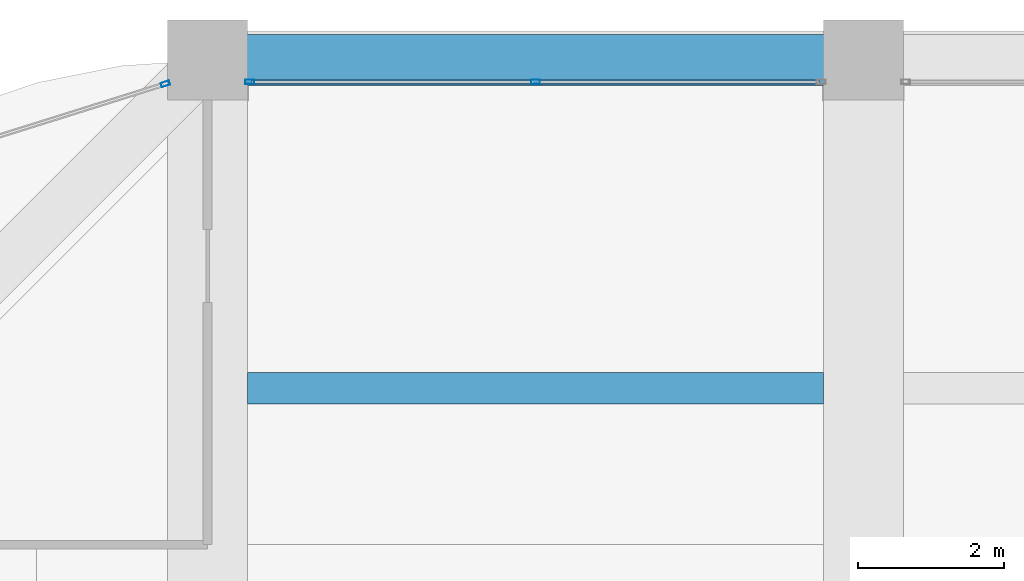
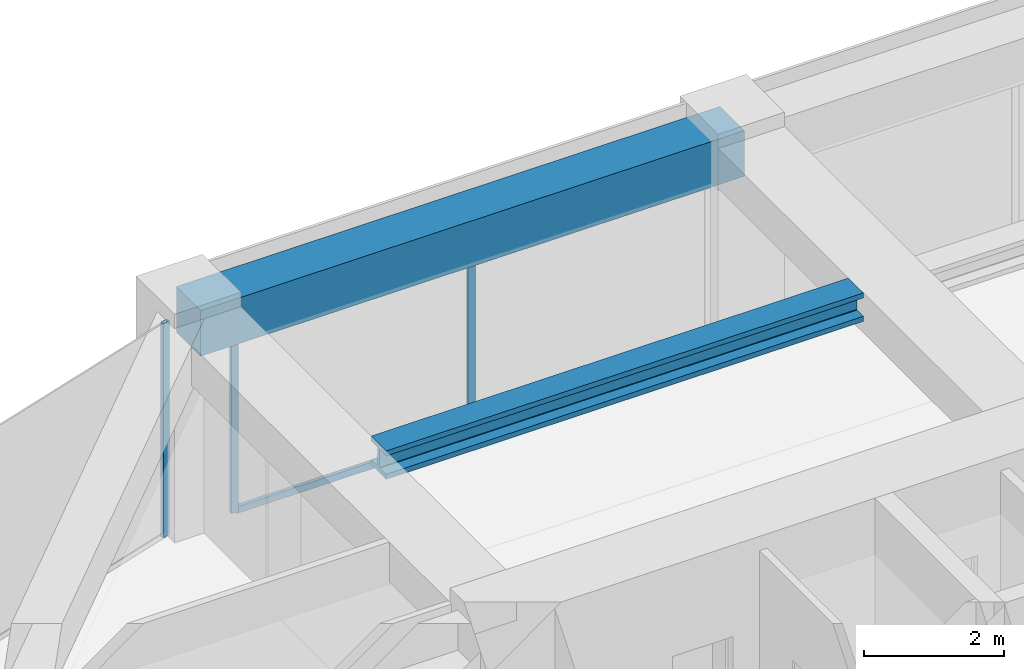
# One storey, part 31 of 45: 4 members, 2 beams, 2 elements without a shape of their own.
"""IFC4 building model written with IfcOpenShell, lengths in metres."""

from ifc_helpers import new_model, si_unit, direction, frame, origin, origin_2d, place, context, subcontext, project, spatial, rectangle, hollow_rectangle, i_section, extrude, material, material_profile, profile_set, type_object, element, aggregate, save


model = new_model("IFC4")

# Units and contexts
model_context = context("Model", 3, precision=1e-05, world=origin(), true_north=direction((0.0, 1.0)))
body_context = subcontext(model_context, "Body", "Model", "MODEL_VIEW")
ifc_project = project(units=[si_unit("LENGTHUNIT", "METRE"), si_unit("AREAUNIT", "SQUARE_METRE"), si_unit("VOLUMEUNIT", "CUBIC_METRE"), si_unit("PLANEANGLEUNIT", "RADIAN"), si_unit("MASSUNIT", "GRAM", prefix="KILO")], contexts=[model_context])

# Site, building, storey
site_placement = place(None, origin())
site = spatial("IfcSite", under=ifc_project, at=site_placement, CompositionType="ELEMENT")
building_placement = place(site_placement, origin())
building = spatial("IfcBuilding", under=site, at=building_placement, Name="Zorevar Civic Tower", CompositionType="ELEMENT")
storey_placement = place(building_placement, frame((0.0, 0.0, 303.39990234375)))
storey = spatial("IfcBuildingStorey", under=building, at=storey_placement, Name="L74", CompositionType="ELEMENT", Elevation=303.39990234375)

# Curtain wall, members
ifc_material_1 = material(Name="Dark grey solar-control glass in black aluminium frame", Category="aluminium")
curtain_wall_type = type_object("IfcCurtainWallType", Name="Curtain wall CW5 top zone", PredefinedType="NOTDEFINED", material=ifc_material_1)
curtain_wall_1_placement = place(storey_placement, origin())
curtain_wall_1 = element("IfcCurtainWall", 1, at=curtain_wall_1_placement, inside=storey, type_object=curtain_wall_type, Name="CW5 L74", PredefinedType="NOTDEFINED")
ifc_material_2 = material(Name="Aluminium, black anodised", Category="aluminium")
ifc_material_profile_1 = material_profile(ifc_material_2, hollow_rectangle(XDim=0.06005859375, YDim=0.1201171875, WallThickness=0.0029296875, at=origin_2d()), Name="AL 120x60x3")
ifc_profile_set_1 = profile_set([ifc_material_profile_1], Name="Aluminium, black anodised")
member_type_1 = type_object("IfcMemberType", Name="CW5 mullion AL 120x60x3", PredefinedType="MULLION", material=ifc_profile_set_1)
member_1_placement = place(storey_placement, frame((18.580078125, 44.699951171875, 0.0), z_axis=(0.0, 0.0, 1.0), x_axis=(0.0, 1.0, 0.0)))
member_1 = element("IfcMember", 2, at=member_1_placement, type_object=member_type_1, Name="CW5 mullion 1", PredefinedType="MULLION", context=body_context, shape_type="SweptSolid", body=[
    extrude(hollow_rectangle(XDim=0.06005859375, YDim=0.1201171875, WallThickness=0.0029296875, at=origin_2d()), origin(), (0.0, 0.0, 1.0), 2.9501953125),
])
member_2_placement = place(storey_placement, frame((22.5, 44.699951171875, 0.06005859375), z_axis=(0.0, 0.0, 1.0), x_axis=(0.0, 1.0, 0.0)))
member_2 = element("IfcMember", 3, at=member_2_placement, type_object=member_type_1, Name="CW5 mullion 2", PredefinedType="MULLION", context=body_context, shape_type="SweptSolid", body=[
    extrude(hollow_rectangle(XDim=0.06005859375, YDim=0.1201171875, WallThickness=0.0029296875, at=origin_2d()), origin(), (0.0, 0.0, 1.0), 2.89013671875),
])

# Curtain wall, member
curtain_wall_2_placement = place(storey_placement, origin())
curtain_wall_2 = element("IfcCurtainWall", 4, at=curtain_wall_2_placement, inside=storey, type_object=curtain_wall_type, Name="CW5 L74", PredefinedType="NOTDEFINED")
member_3_placement = place(storey_placement, frame((17.42138671875, 44.673583984375, 0.0), z_axis=(0.0, 0.0, 1.0), x_axis=(0.299317920238, -0.954153437674, 0.0)))
member_3 = element("IfcMember", 5, at=member_3_placement, type_object=member_type_1, Name="CW5 mullion 1", PredefinedType="MULLION", context=body_context, shape_type="SweptSolid", body=[
    extrude(hollow_rectangle(XDim=0.06005859375, YDim=0.1201171875, WallThickness=0.0029296875, at=origin_2d()), origin(), (0.0, 0.0, 1.0), 3.75),
])
aggregate(curtain_wall_2, [member_3])

# Member
ifc_material_3 = material(Name="Aluminium, black anodised", Category="aluminium")
ifc_material_profile_2 = material_profile(ifc_material_3, hollow_rectangle(XDim=0.06005859375, YDim=0.1201171875, WallThickness=0.0029296875, at=origin_2d()), Name="AL 120x60x3")
ifc_profile_set_2 = profile_set([ifc_material_profile_2], Name="Aluminium, black anodised")
member_type_2 = type_object("IfcMemberType", Name="CW5 transom AL 120x60x3", PredefinedType="USERDEFINED", material=ifc_profile_set_2)
member_4_placement = place(storey_placement, frame((18.610107421875, 44.699951171875, 0.030029296875), z_axis=(1.0, 0.0, 0.0), x_axis=(0.0, 1.0, 0.0)))
member_4 = element("IfcMember", 6, at=member_4_placement, type_object=member_type_2, Name="CW5 sill transom", ObjectType="TRANSOM", PredefinedType="USERDEFINED", context=body_context, shape_type="SweptSolid", body=[
    extrude(hollow_rectangle(XDim=0.06005859375, YDim=0.1201171875, WallThickness=0.0029296875, at=origin_2d()), origin(), (0.0, 0.0, 1.0), 7.77978515625),
])

aggregate(curtain_wall_1, [member_1, member_2, member_4])

# Beams
ifc_material_4 = material(Name="Steel S460M (HISTAR 460)", Category="steel")
ifc_material_profile_3 = material_profile(ifc_material_4, i_section(OverallWidth=0.431884765625, OverallDepth=0.498046875, WebThickness=0.0556640625, FlangeThickness=0.0888671875, FilletRadius=0.014892578125, at=origin_2d()), Name="HD 400x744")
ifc_profile_set_3 = profile_set([ifc_material_profile_3], Name="Steel S460M (HISTAR 460)")
beam_type_1 = type_object("IfcBeamType", Name="Core bay beam HD 400x744", PredefinedType="BEAM", material=ifc_profile_set_3)
beam_1_placement = place(storey_placement, frame((18.550048828125, 40.5, 3.5009765625), z_axis=(1.0, 0.0, 0.0), x_axis=(0.0, 1.0, 0.0)))
element("IfcBeam", 7, at=beam_1_placement, inside=storey, type_object=beam_type_1, Name="Secondary beam L75", PredefinedType="BEAM", context=body_context, shape_type="SweptSolid", body=[
    extrude(i_section(OverallWidth=0.431884765625, OverallDepth=0.498046875, WebThickness=0.0556640625, FlangeThickness=0.0888671875, FilletRadius=0.014892578125, at=origin_2d()), origin(), (0.0, 0.0, 1.0), 7.89990234375),
])
ifc_material_5 = material(Name="Concrete C50/60", Category="concrete")
ifc_material_profile_4 = material_profile(ifc_material_5, rectangle(XDim=0.699951171875, YDim=0.800048828125, at=origin_2d()), Name="RC 700x800")
ifc_profile_set_4 = profile_set([ifc_material_profile_4], Name="Concrete C50/60")
beam_type_2 = type_object("IfcBeamType", Name="Edge beam RC 700x800", PredefinedType="SPANDREL", material=ifc_profile_set_4)
beam_2_placement = place(storey_placement, frame((18.0, 45.0, 3.35009765625), z_axis=(1.0, 0.0, 0.0), x_axis=(0.0, 1.0, 0.0)))
element("IfcBeam", 8, at=beam_2_placement, inside=storey, type_object=beam_type_2, Name="Edge beam L75", PredefinedType="SPANDREL", context=body_context, shape_type="SweptSolid", body=[
    extrude(rectangle(XDim=0.699951171875, YDim=0.800048828125, at=origin_2d()), origin(), (0.0, 0.0, 1.0), 9.0),
])

save(model, "model.ifc")
